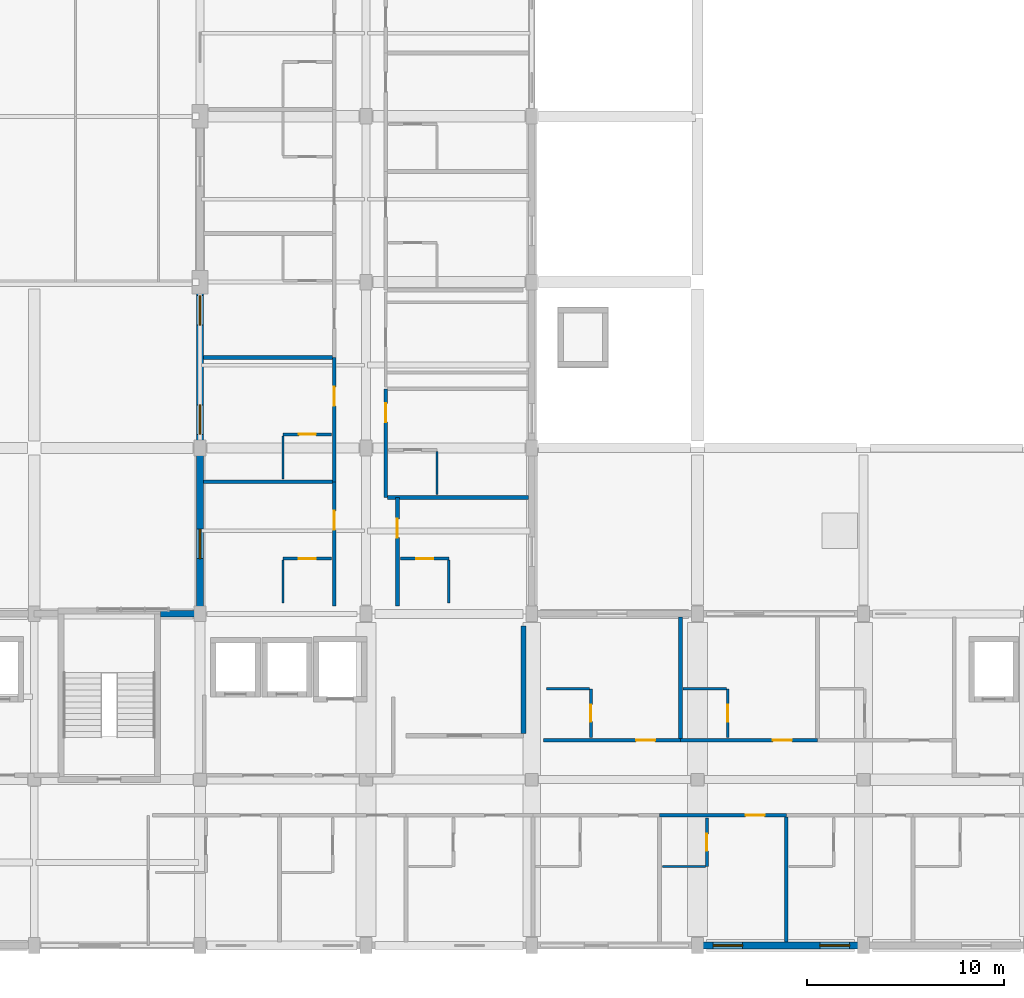
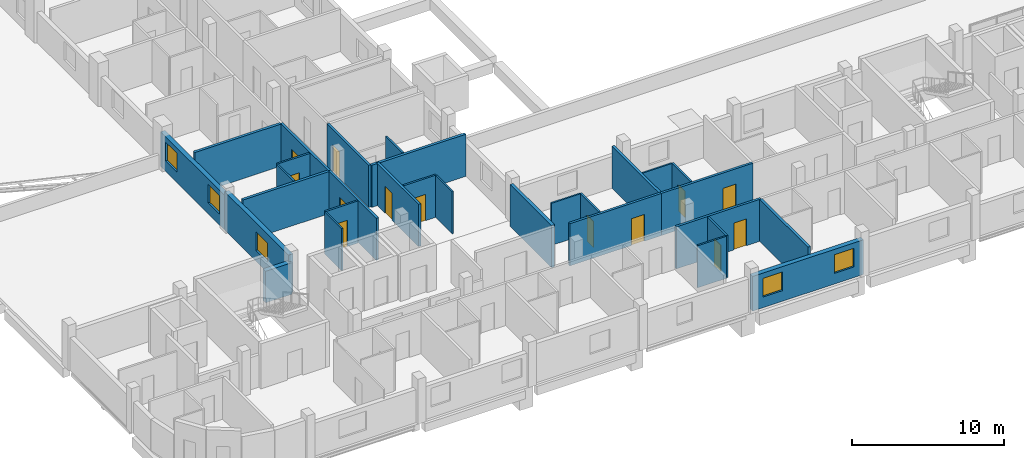
# One storey, part 29 of 42: 30 walls, 13 doors, 5 windows, 18 openings.
"""IFC4 building model written with IfcOpenShell, lengths in metres."""

from ifc_helpers import new_model, si_unit, derived_unit, direction, frame, frame_2d, origin, place, context, subcontext, project, spatial, rectangle, extrude, material, layer, layer_set, type_object, element, fill, save


model = new_model("IFC4")

# Units and contexts
model_context = context("Model", 3, precision=1e-05, world=origin(), true_north=direction((0.0, 1.0)))
body_context = subcontext(model_context, "Body", "Model", "MODEL_VIEW")
ifc_project = project(units=[si_unit("LENGTHUNIT", "METRE"), si_unit("AREAUNIT", "SQUARE_METRE"), si_unit("VOLUMEUNIT", "CUBIC_METRE"), si_unit("PLANEANGLEUNIT", "RADIAN"), si_unit("MASSUNIT", "GRAM", prefix="KILO"), derived_unit("THERMALTRANSMITTANCEUNIT", [(si_unit("POWERUNIT", "WATT"), 1), (si_unit("LENGTHUNIT", "METRE"), -2), (si_unit("THERMODYNAMICTEMPERATUREUNIT", "KELVIN"), -1)])], contexts=[model_context])

# Site, building, storey
site_placement = place(None, origin())
site = spatial("IfcSite", under=ifc_project, at=site_placement, CompositionType="ELEMENT")
building_placement = place(site_placement, origin())
building = spatial("IfcBuilding", under=site, at=building_placement, Name="Barrovel Congress Hotel", CompositionType="ELEMENT")
storey_placement = place(building_placement, frame((0.0, 0.0, 18.300048828125)))
storey = spatial("IfcBuildingStorey", under=building, at=storey_placement, Name="L04", CompositionType="ELEMENT", Elevation=18.300048828125)

# Wall
ifc_material_1 = material(Name="Fired Clay Brick Masonry", Category="masonry")
ifc_layer_1 = layer(ifc_material_1, 0.340087890625)
ifc_layer_set_1 = layer_set([ifc_layer_1], Name="Fired Clay Brick Masonry")
wall_type_1 = type_object("IfcWallType", Name="EW-BRK340", PredefinedType="STANDARD", material=ifc_layer_set_1)
wall_1_placement = place(storey_placement, frame((33.60009765625, 21.0, 0.0), z_axis=(0.0, 0.0, 1.0), x_axis=(-1.0, 0.0, 0.0)))
element("IfcWall", 1, at=wall_1_placement, inside=storey, type_object=wall_type_1, Name="EW:L04:HS-NW-1", PredefinedType="STANDARD", context=body_context, shape_type="SweptSolid", body=[
    extrude(rectangle(XDim=2.0, YDim=0.340087890625, at=frame_2d((1.0, 0.0))), origin(), (0.0, 0.0, 1.0), 2.530029296875),
])

# Wall, openings, windows
wall_2_placement = place(storey_placement, frame((58.800048828125, 4.199951171875, 0.0), z_axis=(0.0, 0.0, 1.0), x_axis=(1.0, 0.0, 0.0)))
wall_2 = element("IfcWall", 2, at=wall_2_placement, inside=storey, type_object=wall_type_1, Name="EW:L04:HS-S:P05", PredefinedType="STANDARD", context=body_context, shape_type="SweptSolid", body=[
    extrude(rectangle(XDim=8.39990234375, YDim=0.340087890625, at=frame_2d((4.199951171875, 0.0))), origin(), (0.0, 0.0, 1.0), 2.780029296875),
])
opening_1_placement = place(wall_2_placement, frame((0.78173828125, 0.0, 0.85009765625)))
opening_1 = element("IfcOpeningElement", 3, at=opening_1_placement, cuts=wall_2, Name="Opening WN-07", PredefinedType="OPENING", context=body_context, shape_type="SweptSolid", body=[
    extrude(rectangle(XDim=1.5, YDim=1.5, at=frame_2d((0.75, 0.75))), frame((0.0, 0.18017578125, 0.0), z_axis=(0.0, -1.0, 0.0), x_axis=(1.0, 0.0, 0.0)), (0.0, 0.0, 1.0), 0.360107421875),
])
opening_2_placement = place(wall_2_placement, frame((6.199951171875, 0.0, 0.85009765625)))
opening_2 = element("IfcOpeningElement", 4, at=opening_2_placement, cuts=wall_2, Name="Opening WN-07", PredefinedType="OPENING", context=body_context, shape_type="SweptSolid", body=[
    extrude(rectangle(XDim=1.5, YDim=1.5, at=frame_2d((0.75, 0.75))), frame((0.0, 0.18017578125, 0.0), z_axis=(0.0, -1.0, 0.0), x_axis=(1.0, 0.0, 0.0)), (0.0, 0.0, 1.0), 0.360107421875),
])
ifc_material_2 = material(Name="Double Low-E Insulated Glazing", Category="glass")
window_type = type_object("IfcWindowType", Name="WIN-WN-07", PartitioningType="SINGLE_PANEL", PredefinedType="WINDOW", material=ifc_material_2)
window_1_placement = place(opening_1_placement, origin())
window_1 = element("IfcWindow", 5, at=window_1_placement, inside=storey, type_object=window_type, Name="WIN:L04:U06", OverallHeight=1.5, OverallWidth=1.5, PartitioningType="SINGLE_PANEL", PredefinedType="WINDOW", context=body_context, shape_type="SweptSolid", body=[
    extrude(rectangle(XDim=1.5, YDim=1.5, at=frame_2d((0.75, 0.75))), frame((0.0, 0.030029296875, 0.0), z_axis=(0.0, -1.0, 0.0), x_axis=(1.0, 0.0, 0.0)), (0.0, 0.0, 1.0), 0.06005859375),
])
fill(opening_1, window_1)
window_2_placement = place(opening_2_placement, origin())
window_2 = element("IfcWindow", 6, at=window_2_placement, inside=storey, type_object=window_type, Name="WIN:L04:U07", OverallHeight=1.5, OverallWidth=1.5, PartitioningType="SINGLE_PANEL", PredefinedType="WINDOW", context=body_context, shape_type="SweptSolid", body=[
    extrude(rectangle(XDim=1.5, YDim=1.5, at=frame_2d((0.75, 0.75))), frame((0.0, 0.030029296875, 0.0), z_axis=(0.0, -1.0, 0.0), x_axis=(1.0, 0.0, 0.0)), (0.0, 0.0, 1.0), 0.06005859375),
])
fill(opening_2, window_2)

wall_3_placement = place(storey_placement, frame((33.60009765625, 37.800048828125, 0.0), z_axis=(0.0, 0.0, 1.0), x_axis=(0.0, -1.0, 0.0)))
wall_3 = element("IfcWall", 7, at=wall_3_placement, inside=storey, type_object=wall_type_1, Name="EW:L04:HW-W:P05", PredefinedType="STANDARD", context=body_context, shape_type="SweptSolid", body=[
    extrude(rectangle(XDim=8.400146484375, YDim=0.340087890625, at=frame_2d((4.2001953125, 0.0))), origin(), (0.0, 0.0, 1.0), 2.780029296875),
])
opening_3_placement = place(wall_3_placement, frame((6.216552734375, 0.0, 0.85009765625)))
opening_3 = element("IfcOpeningElement", 8, at=opening_3_placement, cuts=wall_3, Name="Opening WN-07", PredefinedType="OPENING", context=body_context, shape_type="SweptSolid", body=[
    extrude(rectangle(XDim=1.5, YDim=1.5, at=frame_2d((0.75, 0.75))), frame((0.0, 0.18017578125, 0.0), z_axis=(0.0, -1.0, 0.0), x_axis=(1.0, 0.0, 0.0)), (0.0, 0.0, 1.0), 0.360107421875),
])
opening_4_placement = place(wall_3_placement, frame((0.677734375, 0.0, 0.85009765625)))
opening_4 = element("IfcOpeningElement", 9, at=opening_4_placement, cuts=wall_3, Name="Opening WN-07", PredefinedType="OPENING", context=body_context, shape_type="SweptSolid", body=[
    extrude(rectangle(XDim=1.5, YDim=1.5, at=frame_2d((0.75, 0.75))), frame((0.0, 0.18017578125, 0.0), z_axis=(0.0, -1.0, 0.0), x_axis=(1.0, 0.0, 0.0)), (0.0, 0.0, 1.0), 0.360107421875),
])
window_3_placement = place(opening_3_placement, origin())
window_3 = element("IfcWindow", 10, at=window_3_placement, inside=storey, type_object=window_type, Name="WIN:L04:U34", OverallHeight=1.5, OverallWidth=1.5, PartitioningType="SINGLE_PANEL", PredefinedType="WINDOW", context=body_context, shape_type="SweptSolid", body=[
    extrude(rectangle(XDim=1.5, YDim=1.5, at=frame_2d((0.75, 0.75))), frame((0.0, 0.030029296875, 0.0), z_axis=(0.0, -1.0, 0.0), x_axis=(1.0, 0.0, 0.0)), (0.0, 0.0, 1.0), 0.06005859375),
])
fill(opening_3, window_3)
window_4_placement = place(opening_4_placement, origin())
window_4 = element("IfcWindow", 11, at=window_4_placement, inside=storey, type_object=window_type, Name="WIN:L04:U35", OverallHeight=1.5, OverallWidth=1.5, PartitioningType="SINGLE_PANEL", PredefinedType="WINDOW", context=body_context, shape_type="SweptSolid", body=[
    extrude(rectangle(XDim=1.5, YDim=1.5, at=frame_2d((0.75, 0.75))), frame((0.0, 0.030029296875, 0.0), z_axis=(0.0, -1.0, 0.0), x_axis=(1.0, 0.0, 0.0)), (0.0, 0.0, 1.0), 0.06005859375),
])
fill(opening_4, window_4)

# Wall, opening, window
wall_4_placement = place(storey_placement, frame((33.60009765625, 29.39990234375, 0.0), z_axis=(0.0, 0.0, 1.0), x_axis=(0.0, -1.0, 0.0)))
wall_4 = element("IfcWall", 12, at=wall_4_placement, inside=storey, type_object=wall_type_1, Name="EW:L04:HW-W:P06", PredefinedType="STANDARD", context=body_context, shape_type="SweptSolid", body=[
    extrude(rectangle(XDim=8.39990234375, YDim=0.340087890625, at=frame_2d((4.199951171875, 0.0))), origin(), (0.0, 0.0, 1.0), 3.0751953125),
])
opening_5_placement = place(wall_4_placement, frame((4.105712890625, 0.0, 0.85009765625)))
opening_5 = element("IfcOpeningElement", 13, at=opening_5_placement, cuts=wall_4, Name="Opening WN-07", PredefinedType="OPENING", context=body_context, shape_type="SweptSolid", body=[
    extrude(rectangle(XDim=1.5, YDim=1.5, at=frame_2d((0.75, 0.75))), frame((0.0, 0.18017578125, 0.0), z_axis=(0.0, -1.0, 0.0), x_axis=(1.0, 0.0, 0.0)), (0.0, 0.0, 1.0), 0.360107421875),
])
window_5_placement = place(opening_5_placement, origin())
window_5 = element("IfcWindow", 14, at=window_5_placement, inside=storey, type_object=window_type, Name="WIN:L04:U33", OverallHeight=1.5, OverallWidth=1.5, PartitioningType="SINGLE_PANEL", PredefinedType="WINDOW", context=body_context, shape_type="SweptSolid", body=[
    extrude(rectangle(XDim=1.5, YDim=1.5, at=frame_2d((0.75, 0.75))), frame((0.0, 0.030029296875, 0.0), z_axis=(0.0, -1.0, 0.0), x_axis=(1.0, 0.0, 0.0)), (0.0, 0.0, 1.0), 0.06005859375),
])
fill(opening_5, window_5)

# Wall, opening, door
ifc_material_3 = material(Name="Gypsum Acoustic Stud", Category="gypsum")
ifc_layer_2 = layer(ifc_material_3, 0.179931640625)
ifc_layer_set_2 = layer_set([ifc_layer_2], Name="Gypsum Acoustic Stud")
wall_type_2 = type_object("IfcWallType", Name="PW-ACU-180", PredefinedType="PARTITIONING", material=ifc_layer_set_2)
wall_5_placement = place(storey_placement, frame((56.872802734375, 10.800048828125, 0.0), z_axis=(0.0, 0.0, 1.0), x_axis=(1.0, 0.0, 0.0)))
wall_5 = element("IfcWall", 15, at=wall_5_placement, inside=storey, type_object=wall_type_2, Name="PW:L04:U06:COR", PredefinedType="PARTITIONING", context=body_context, shape_type="SweptSolid", body=[
    extrude(rectangle(XDim=6.418212890625, YDim=0.179931640625, at=frame_2d((3.208984375, 0.0))), origin(), (0.0, 0.0, 1.0), 3.375),
])
opening_6_placement = place(wall_5_placement, frame((4.3662109375, 0.0, 0.0)))
opening_6 = element("IfcOpeningElement", 16, at=opening_6_placement, cuts=wall_5, Name="Opening ID-HTL", PredefinedType="OPENING", context=body_context, shape_type="SweptSolid", body=[
    extrude(rectangle(XDim=0.9599609375, YDim=2.14990234375, at=frame_2d((0.47998046875, 1.074951171875))), frame((0.0, 0.10009765625, 0.0), z_axis=(0.0, -1.0, 0.0), x_axis=(1.0, 0.0, 0.0)), (0.0, 0.0, 1.0), 0.199951171875),
])
ifc_material_4 = material(Name="Solid Oak Acoustic Timber Door", Category="wood")
door_type_1 = type_object("IfcDoorType", Name="IDR-ID-HTL", OperationType="NOTDEFINED", PredefinedType="DOOR", material=ifc_material_4)
door_1_placement = place(opening_6_placement, origin())
door_1 = element("IfcDoor", 17, at=door_1_placement, inside=storey, type_object=door_type_1, Name="DR:L04:U06:ENT", OperationType="SINGLE_SWING_RIGHT", OverallHeight=2.14990234375, OverallWidth=0.9599609375, PredefinedType="DOOR", context=body_context, shape_type="SweptSolid", body=[
    extrude(rectangle(XDim=0.9599609375, YDim=2.14990234375, at=frame_2d((0.47998046875, 1.074951171875))), frame((0.0, 0.02490234375, 0.0), z_axis=(0.0, -1.0, 0.0), x_axis=(1.0, 0.0, 0.0)), (0.0, 0.0, 1.0), 0.050048828125),
])
fill(opening_6, door_1)

wall_6_placement = place(storey_placement, frame((51.0, 14.60009765625, 0.0), z_axis=(0.0, 0.0, 1.0), x_axis=(1.0, 0.0, 0.0)))
wall_6 = element("IfcWall", 18, at=wall_6_placement, inside=storey, type_object=wall_type_2, Name="PW:L04:U21:COR", PredefinedType="PARTITIONING", context=body_context, shape_type="SweptSolid", body=[
    extrude(rectangle(XDim=6.933349609375, YDim=0.179931640625, at=frame_2d((3.466796875, 0.0))), origin(), (0.0, 0.0, 1.0), 3.375),
])
opening_7_placement = place(wall_6_placement, frame((4.685546875, 0.0, 0.0)))
opening_7 = element("IfcOpeningElement", 19, at=opening_7_placement, cuts=wall_6, Name="Opening ID-HTL", PredefinedType="OPENING", context=body_context, shape_type="SweptSolid", body=[
    extrude(rectangle(XDim=0.9599609375, YDim=2.14990234375, at=frame_2d((0.47998046875, 1.074951171875))), frame((0.0, 0.10009765625, 0.0), z_axis=(0.0, -1.0, 0.0), x_axis=(1.0, 0.0, 0.0)), (0.0, 0.0, 1.0), 0.199951171875),
])
door_2_placement = place(opening_7_placement, origin())
door_2 = element("IfcDoor", 20, at=door_2_placement, inside=storey, type_object=door_type_1, Name="DR:L04:U21:ENT", OperationType="SINGLE_SWING_RIGHT", OverallHeight=2.14990234375, OverallWidth=0.9599609375, PredefinedType="DOOR", context=body_context, shape_type="SweptSolid", body=[
    extrude(rectangle(XDim=0.9599609375, YDim=2.14990234375, at=frame_2d((0.47998046875, 1.074951171875))), frame((0.0, 0.02490234375, 0.0), z_axis=(0.0, -1.0, 0.0), x_axis=(1.0, 0.0, 0.0)), (0.0, 0.0, 1.0), 0.050048828125),
])
fill(opening_7, door_2)

wall_7_placement = place(storey_placement, frame((57.933349609375, 14.60009765625, 0.0), z_axis=(0.0, 0.0, 1.0), x_axis=(1.0, 0.0, 0.0)))
wall_7 = element("IfcWall", 21, at=wall_7_placement, inside=storey, type_object=wall_type_2, Name="PW:L04:U22:COR", PredefinedType="PARTITIONING", context=body_context, shape_type="SweptSolid", body=[
    extrude(rectangle(XDim=6.933349609375, YDim=0.179931640625, at=frame_2d((3.466796875, 0.0))), origin(), (0.0, 0.0, 1.0), 3.375),
])
opening_8_placement = place(wall_7_placement, frame((4.685791015625, 0.0, 0.0)))
opening_8 = element("IfcOpeningElement", 22, at=opening_8_placement, cuts=wall_7, Name="Opening ID-HTL", PredefinedType="OPENING", context=body_context, shape_type="SweptSolid", body=[
    extrude(rectangle(XDim=0.9599609375, YDim=2.14990234375, at=frame_2d((0.47998046875, 1.074951171875))), frame((0.0, 0.10009765625, 0.0), z_axis=(0.0, -1.0, 0.0), x_axis=(1.0, 0.0, 0.0)), (0.0, 0.0, 1.0), 0.199951171875),
])
door_3_placement = place(opening_8_placement, origin())
door_3 = element("IfcDoor", 23, at=door_3_placement, inside=storey, type_object=door_type_1, Name="DR:L04:U22:ENT", OperationType="SINGLE_SWING_RIGHT", OverallHeight=2.14990234375, OverallWidth=0.9599609375, PredefinedType="DOOR", context=body_context, shape_type="SweptSolid", body=[
    extrude(rectangle(XDim=0.9599609375, YDim=2.14990234375, at=frame_2d((0.47998046875, 1.074951171875))), frame((0.0, 0.02490234375, 0.0), z_axis=(0.0, -1.0, 0.0), x_axis=(1.0, 0.0, 0.0)), (0.0, 0.0, 1.0), 0.050048828125),
])
fill(opening_8, door_3)

wall_8_placement = place(storey_placement, frame((40.39990234375, 21.39990234375, 0.0), z_axis=(0.0, 0.0, 1.0), x_axis=(0.0, 1.0, 0.0)))
wall_8 = element("IfcWall", 24, at=wall_8_placement, inside=storey, type_object=wall_type_2, Name="PW:L04:U33:COR", PredefinedType="PARTITIONING", context=body_context, shape_type="SweptSolid", body=[
    extrude(rectangle(XDim=6.2890625, YDim=0.179931640625, at=frame_2d((3.14453125, 0.0))), origin(), (0.0, 0.0, 1.0), 3.375),
])
opening_9_placement = place(wall_8_placement, frame((3.849365234375, 0.0, 0.0)))
opening_9 = element("IfcOpeningElement", 25, at=opening_9_placement, cuts=wall_8, Name="Opening ID-HTL", PredefinedType="OPENING", context=body_context, shape_type="SweptSolid", body=[
    extrude(rectangle(XDim=0.9599609375, YDim=2.14990234375, at=frame_2d((0.47998046875, 1.074951171875))), frame((0.0, 0.10009765625, 0.0), z_axis=(0.0, -1.0, 0.0), x_axis=(1.0, 0.0, 0.0)), (0.0, 0.0, 1.0), 0.199951171875),
])
door_4_placement = place(opening_9_placement, origin())
door_4 = element("IfcDoor", 26, at=door_4_placement, inside=storey, type_object=door_type_1, Name="DR:L04:U33:ENT", OperationType="SINGLE_SWING_RIGHT", OverallHeight=2.14990234375, OverallWidth=0.9599609375, PredefinedType="DOOR", context=body_context, shape_type="SweptSolid", body=[
    extrude(rectangle(XDim=0.9599609375, YDim=2.14990234375, at=frame_2d((0.47998046875, 1.074951171875))), frame((0.0, 0.02490234375, 0.0), z_axis=(0.0, -1.0, 0.0), x_axis=(1.0, 0.0, 0.0)), (0.0, 0.0, 1.0), 0.050048828125),
])
fill(opening_9, door_4)

wall_9_placement = place(storey_placement, frame((40.39990234375, 27.68896484375, 0.0), z_axis=(0.0, 0.0, 1.0), x_axis=(0.0, 1.0, 0.0)))
wall_9 = element("IfcWall", 27, at=wall_9_placement, inside=storey, type_object=wall_type_2, Name="PW:L04:U34:COR", PredefinedType="PARTITIONING", context=body_context, shape_type="SweptSolid", body=[
    extrude(rectangle(XDim=6.288818359375, YDim=0.179931640625, at=frame_2d((3.14453125, 0.0))), origin(), (0.0, 0.0, 1.0), 3.375),
])
opening_10_placement = place(wall_9_placement, frame((3.849365234375, 0.0, 0.0)))
opening_10 = element("IfcOpeningElement", 28, at=opening_10_placement, cuts=wall_9, Name="Opening ID-HTL", PredefinedType="OPENING", context=body_context, shape_type="SweptSolid", body=[
    extrude(rectangle(XDim=0.9599609375, YDim=2.14990234375, at=frame_2d((0.47998046875, 1.074951171875))), frame((0.0, 0.10009765625, 0.0), z_axis=(0.0, -1.0, 0.0), x_axis=(1.0, 0.0, 0.0)), (0.0, 0.0, 1.0), 0.199951171875),
])
door_5_placement = place(opening_10_placement, origin())
door_5 = element("IfcDoor", 29, at=door_5_placement, inside=storey, type_object=door_type_1, Name="DR:L04:U34:ENT", OperationType="SINGLE_SWING_RIGHT", OverallHeight=2.14990234375, OverallWidth=0.9599609375, PredefinedType="DOOR", context=body_context, shape_type="SweptSolid", body=[
    extrude(rectangle(XDim=0.9599609375, YDim=2.14990234375, at=frame_2d((0.47998046875, 1.074951171875))), frame((0.0, 0.02490234375, 0.0), z_axis=(0.0, -1.0, 0.0), x_axis=(1.0, 0.0, 0.0)), (0.0, 0.0, 1.0), 0.050048828125),
])
fill(opening_10, door_5)

wall_10_placement = place(storey_placement, frame((43.60009765625, 21.39990234375, 0.0), z_axis=(0.0, 0.0, 1.0), x_axis=(0.0, 1.0, 0.0)))
wall_10 = element("IfcWall", 30, at=wall_10_placement, inside=storey, type_object=wall_type_2, Name="PW:L04:U42:COR", PredefinedType="PARTITIONING", context=body_context, shape_type="SweptSolid", body=[
    extrude(rectangle(XDim=5.5, YDim=0.179931640625, at=frame_2d((2.75, 0.0))), origin(), (0.0, 0.0, 1.0), 3.375),
])
opening_11_placement = place(wall_10_placement, frame((3.455078125, 0.0, 0.0)))
opening_11 = element("IfcOpeningElement", 31, at=opening_11_placement, cuts=wall_10, Name="Opening ID-HTL", PredefinedType="OPENING", context=body_context, shape_type="SweptSolid", body=[
    extrude(rectangle(XDim=0.9599609375, YDim=2.14990234375, at=frame_2d((0.47998046875, 1.074951171875))), frame((0.0, 0.10009765625, 0.0), z_axis=(0.0, -1.0, 0.0), x_axis=(1.0, 0.0, 0.0)), (0.0, 0.0, 1.0), 0.199951171875),
])
door_6_placement = place(opening_11_placement, origin())
door_6 = element("IfcDoor", 32, at=door_6_placement, inside=storey, type_object=door_type_1, Name="DR:L04:U42:ENT", OperationType="SINGLE_SWING_RIGHT", OverallHeight=2.14990234375, OverallWidth=0.9599609375, PredefinedType="DOOR", context=body_context, shape_type="SweptSolid", body=[
    extrude(rectangle(XDim=0.9599609375, YDim=2.14990234375, at=frame_2d((0.47998046875, 1.074951171875))), frame((0.0, 0.02490234375, 0.0), z_axis=(0.0, -1.0, 0.0), x_axis=(1.0, 0.0, 0.0)), (0.0, 0.0, 1.0), 0.050048828125),
])
fill(opening_11, door_6)

wall_11_placement = place(storey_placement, frame((43.0, 26.89990234375, 0.0), z_axis=(0.0, 0.0, 1.0), x_axis=(0.0, 1.0, 0.0)))
wall_11 = element("IfcWall", 33, at=wall_11_placement, inside=storey, type_object=wall_type_2, Name="PW:L04:U43:COR", PredefinedType="PARTITIONING", context=body_context, shape_type="SweptSolid", body=[
    extrude(rectangle(XDim=5.5, YDim=0.179931640625, at=frame_2d((2.75, 0.0))), origin(), (0.0, 0.0, 1.0), 3.375),
])
opening_12_placement = place(wall_11_placement, frame((3.804931640625, 0.0, 0.0)))
opening_12 = element("IfcOpeningElement", 34, at=opening_12_placement, cuts=wall_11, Name="Opening ID-HTL", PredefinedType="OPENING", context=body_context, shape_type="SweptSolid", body=[
    extrude(rectangle(XDim=0.9599609375, YDim=2.14990234375, at=frame_2d((0.47998046875, 1.074951171875))), frame((0.0, 0.10009765625, 0.0), z_axis=(0.0, -1.0, 0.0), x_axis=(1.0, 0.0, 0.0)), (0.0, 0.0, 1.0), 0.199951171875),
])
door_7_placement = place(opening_12_placement, origin())
door_7 = element("IfcDoor", 35, at=door_7_placement, inside=storey, type_object=door_type_1, Name="DR:L04:U43:ENT", OperationType="SINGLE_SWING_RIGHT", OverallHeight=2.14990234375, OverallWidth=0.9599609375, PredefinedType="DOOR", context=body_context, shape_type="SweptSolid", body=[
    extrude(rectangle(XDim=0.9599609375, YDim=2.14990234375, at=frame_2d((0.47998046875, 1.074951171875))), frame((0.0, 0.02490234375, 0.0), z_axis=(0.0, -1.0, 0.0), x_axis=(1.0, 0.0, 0.0)), (0.0, 0.0, 1.0), 0.050048828125),
])
fill(opening_12, door_7)

# Walls
ifc_layer_3 = layer(ifc_material_3, 0.1201171875)
ifc_layer_set_3 = layer_set([ifc_layer_3], Name="Gypsum Acoustic Stud")
wall_type_3 = type_object("IfcWallType", Name="PW-INT-120", PredefinedType="PARTITIONING", material=ifc_layer_set_3)
wall_12_placement = place(storey_placement, frame((57.0126953125, 8.199951171875, 0.0), z_axis=(0.0, 0.0, 1.0), x_axis=(1.0, 0.0, 0.0)))
element("IfcWall", 36, at=wall_12_placement, inside=storey, type_object=wall_type_3, Name="PW:L04:U06:B2", PredefinedType="PARTITIONING", context=body_context, shape_type="SweptSolid", body=[
    extrude(rectangle(XDim=2.18994140625, YDim=0.1201171875, at=frame_2d((1.094970703125, 0.0))), origin(), (0.0, 0.0, 1.0), 3.375),
])
wall_13_placement = place(storey_placement, frame((51.139892578125, 17.199951171875, 0.0), z_axis=(0.0, 0.0, 1.0), x_axis=(1.0, 0.0, 0.0)))
element("IfcWall", 37, at=wall_13_placement, inside=storey, type_object=wall_type_3, Name="PW:L04:U21:B2", PredefinedType="PARTITIONING", context=body_context, shape_type="SweptSolid", body=[
    extrude(rectangle(XDim=2.190185546875, YDim=0.1201171875, at=frame_2d((1.09521484375, 0.0))), origin(), (0.0, 0.0, 1.0), 3.375),
])
for number, where, z_axis, x_axis, name in (
    (38, (58.0732421875, 17.199951171875, 0.0), (0.0, 0.0, 1.0), (1.0, 0.0, 0.0), "PW:L04:U22:B2"),
    (39, (37.800048828125, 21.5400390625, 0.0), (0.0, 0.0, 1.0), (0.0, 1.0, 0.0), "PW:L04:U33:B2"),
    (40, (37.800048828125, 27.828857421875, 0.0), (0.0, 0.0, 1.0), (0.0, 1.0, 0.0), "PW:L04:U34:B2"),
    (41, (46.199951171875, 21.5400390625, 0.0), (0.0, 0.0, 1.0), (0.0, 1.0, 0.0), "PW:L04:U42:B2"),
    (42, (45.60009765625, 27.0400390625, 0.0), (0.0, 0.0, 1.0), (0.0, 1.0, 0.0), "PW:L04:U43:B2"),
):
    element("IfcWall", number, at=place(storey_placement, frame(where, z_axis=z_axis, x_axis=x_axis)), inside=storey, type_object=wall_type_3, Name=name, PredefinedType="PARTITIONING", context=body_context, shape_type="SweptSolid", body=[
        extrude(rectangle(XDim=2.18994140625, YDim=0.1201171875, at=frame_2d((1.094970703125, 0.0))), origin(), (0.0, 0.0, 1.0), 3.375),
    ])
ifc_layer_4 = layer(ifc_material_1, 0.199951171875)
ifc_layer_set_4 = layer_set([ifc_layer_4], Name="Fired Clay Brick Masonry")
wall_type_4 = type_object("IfcWallType", Name="PW-MAS-200", PredefinedType="PARTITIONING", material=ifc_layer_set_4)
wall_14_placement = place(storey_placement, frame((63.291015625, 4.3701171875, 0.0), z_axis=(0.0, 0.0, 1.0), x_axis=(0.0, 1.0, 0.0)))
element("IfcWall", 43, at=wall_14_placement, inside=storey, type_object=wall_type_4, Name="PW:L04:U06:DEM", PredefinedType="PARTITIONING", context=body_context, shape_type="SweptSolid", body=[
    extrude(rectangle(XDim=6.33984375, YDim=0.199951171875, at=frame_2d((3.169921875, 0.0))), origin(), (0.0, 0.0, 1.0), 3.375),
])
wall_15_placement = place(storey_placement, frame((57.933349609375, 14.68994140625, 0.0), z_axis=(0.0, 0.0, 1.0), x_axis=(0.0, 1.0, 0.0)))
element("IfcWall", 44, at=wall_15_placement, inside=storey, type_object=wall_type_4, Name="PW:L04:U21:DEM", PredefinedType="PARTITIONING", context=body_context, shape_type="SweptSolid", body=[
    extrude(rectangle(XDim=6.14013671875, YDim=0.199951171875, at=frame_2d((3.070068359375, 0.0))), origin(), (0.0, 0.0, 1.0), 3.375),
])
for number, where, z_axis, x_axis, name in (
    (45, (33.77001953125, 27.68896484375, 0.0), (0.0, 0.0, 1.0), (1.0, 0.0, 0.0), "PW:L04:U33:DEM"),
    (46, (33.77001953125, 33.977783203125, 0.0), (0.0, 0.0, 1.0), (1.0, 0.0, 0.0), "PW:L04:U34:DEM"),
):
    element("IfcWall", number, at=place(storey_placement, frame(where, z_axis=z_axis, x_axis=x_axis)), inside=storey, type_object=wall_type_4, Name=name, PredefinedType="PARTITIONING", context=body_context, shape_type="SweptSolid", body=[
        extrude(rectangle(XDim=6.5400390625, YDim=0.199951171875, at=frame_2d((3.27001953125, 0.0))), origin(), (0.0, 0.0, 1.0), 3.375),
    ])
wall_16_placement = place(storey_placement, frame((43.090087890625, 26.89990234375, 0.0), z_axis=(0.0, 0.0, 1.0), x_axis=(1.0, 0.0, 0.0)))
element("IfcWall", 47, at=wall_16_placement, inside=storey, type_object=wall_type_4, Name="PW:L04:U42:DEM", PredefinedType="PARTITIONING", context=body_context, shape_type="SweptSolid", body=[
    extrude(rectangle(XDim=7.139892578125, YDim=0.199951171875, at=frame_2d((3.56982421875, 0.0))), origin(), (0.0, 0.0, 1.0), 3.375),
])
ifc_layer_5 = layer(ifc_material_1, 0.239990234375)
ifc_layer_set_5 = layer_set([ifc_layer_5], Name="Fired Clay Brick Masonry")
wall_type_5 = type_object("IfcWallType", Name="PW-MAS-240", PredefinedType="PARTITIONING", material=ifc_layer_set_5)
wall_17_placement = place(storey_placement, frame((49.97998046875, 14.93994140625, 0.0), z_axis=(0.0, 0.0, 1.0), x_axis=(0.0, 1.0, 0.0)))
element("IfcWall", 48, at=wall_17_placement, inside=storey, type_object=wall_type_5, Name="RW:SP:L04:LINEN:E", PredefinedType="PARTITIONING", context=body_context, shape_type="SweptSolid", body=[
    extrude(rectangle(XDim=5.43994140625, YDim=0.239990234375, at=frame_2d((2.719970703125, 0.0))), origin(), (0.0, 0.0, 1.0), 3.375),
])

# Wall, opening, door
ifc_material_5 = material(Name="Gypsum Moisture Board", Category="gypsum")
ifc_layer_6 = layer(ifc_material_5, 0.139892578125)
ifc_layer_set_6 = layer_set([ifc_layer_6], Name="Gypsum Moisture Board")
wall_type_6 = type_object("IfcWallType", Name="PW-WET-140", PredefinedType="PARTITIONING", material=ifc_layer_set_6)
wall_18_placement = place(storey_placement, frame((59.272705078125, 8.199951171875, 0.0), z_axis=(0.0, 0.0, 1.0), x_axis=(0.0, 1.0, 0.0)))
wall_18 = element("IfcWall", 49, at=wall_18_placement, inside=storey, type_object=wall_type_6, Name="PW:L04:U06:B1", PredefinedType="PARTITIONING", context=body_context, shape_type="SweptSolid", body=[
    extrude(rectangle(XDim=2.4599609375, YDim=0.139892578125, at=frame_2d((1.22998046875, 0.0))), origin(), (0.0, 0.0, 1.0), 3.375),
])
opening_13_placement = place(wall_18_placement, frame((0.800048828125, 0.0, 0.0)))
opening_13 = element("IfcOpeningElement", 50, at=opening_13_placement, cuts=wall_18, Name="Opening ID-ENS", PredefinedType="OPENING", context=body_context, shape_type="SweptSolid", body=[
    extrude(rectangle(XDim=0.860107421875, YDim=2.10009765625, at=frame_2d((0.43017578125, 1.050048828125))), frame((0.0, 0.080078125, 0.0), z_axis=(0.0, -1.0, 0.0), x_axis=(1.0, 0.0, 0.0)), (0.0, 0.0, 1.0), 0.159912109375),
])
ifc_material_6 = material(Name="Lacquered Timber Moisture Door", Category="wood")
door_type_2 = type_object("IfcDoorType", Name="IDR-ID-ENS", OperationType="NOTDEFINED", PredefinedType="DOOR", material=ifc_material_6)
door_8_placement = place(opening_13_placement, origin())
door_8 = element("IfcDoor", 51, at=door_8_placement, inside=storey, type_object=door_type_2, Name="DR:L04:U06:ENS", OperationType="SINGLE_SWING_LEFT", OverallHeight=2.10009765625, OverallWidth=0.860107421875, PredefinedType="DOOR", context=body_context, shape_type="SweptSolid", body=[
    extrude(rectangle(XDim=0.860107421875, YDim=2.10009765625, at=frame_2d((0.43017578125, 1.050048828125))), frame((0.0, 0.02490234375, 0.0), z_axis=(0.0, -1.0, 0.0), x_axis=(1.0, 0.0, 0.0)), (0.0, 0.0, 1.0), 0.050048828125),
])
fill(opening_13, door_8)

wall_19_placement = place(storey_placement, frame((53.39990234375, 14.739990234375, 0.0), z_axis=(0.0, 0.0, 1.0), x_axis=(0.0, 1.0, 0.0)))
wall_19 = element("IfcWall", 52, at=wall_19_placement, inside=storey, type_object=wall_type_6, Name="PW:L04:U21:B1", PredefinedType="PARTITIONING", context=body_context, shape_type="SweptSolid", body=[
    extrude(rectangle(XDim=2.4599609375, YDim=0.139892578125, at=frame_2d((1.22998046875, 0.0))), origin(), (0.0, 0.0, 1.0), 3.375),
])
opening_14_placement = place(wall_19_placement, frame((0.800048828125, 0.0, 0.0)))
opening_14 = element("IfcOpeningElement", 53, at=opening_14_placement, cuts=wall_19, Name="Opening ID-ENS", PredefinedType="OPENING", context=body_context, shape_type="SweptSolid", body=[
    extrude(rectangle(XDim=0.860107421875, YDim=2.10009765625, at=frame_2d((0.43017578125, 1.050048828125))), frame((0.0, 0.080078125, 0.0), z_axis=(0.0, -1.0, 0.0), x_axis=(1.0, 0.0, 0.0)), (0.0, 0.0, 1.0), 0.159912109375),
])
door_9_placement = place(opening_14_placement, origin())
door_9 = element("IfcDoor", 54, at=door_9_placement, inside=storey, type_object=door_type_2, Name="DR:L04:U21:ENS", OperationType="SINGLE_SWING_LEFT", OverallHeight=2.10009765625, OverallWidth=0.860107421875, PredefinedType="DOOR", context=body_context, shape_type="SweptSolid", body=[
    extrude(rectangle(XDim=0.860107421875, YDim=2.10009765625, at=frame_2d((0.43017578125, 1.050048828125))), frame((0.0, 0.02490234375, 0.0), z_axis=(0.0, -1.0, 0.0), x_axis=(1.0, 0.0, 0.0)), (0.0, 0.0, 1.0), 0.050048828125),
])
fill(opening_14, door_9)

wall_20_placement = place(storey_placement, frame((60.333251953125, 14.739990234375, 0.0), z_axis=(0.0, 0.0, 1.0), x_axis=(0.0, 1.0, 0.0)))
wall_20 = element("IfcWall", 55, at=wall_20_placement, inside=storey, type_object=wall_type_6, Name="PW:L04:U22:B1", PredefinedType="PARTITIONING", context=body_context, shape_type="SweptSolid", body=[
    extrude(rectangle(XDim=2.4599609375, YDim=0.139892578125, at=frame_2d((1.22998046875, 0.0))), origin(), (0.0, 0.0, 1.0), 3.375),
])
opening_15_placement = place(wall_20_placement, frame((0.800048828125, 0.0, 0.0)))
opening_15 = element("IfcOpeningElement", 56, at=opening_15_placement, cuts=wall_20, Name="Opening ID-ENS", PredefinedType="OPENING", context=body_context, shape_type="SweptSolid", body=[
    extrude(rectangle(XDim=0.860107421875, YDim=2.10009765625, at=frame_2d((0.43017578125, 1.050048828125))), frame((0.0, 0.080078125, 0.0), z_axis=(0.0, -1.0, 0.0), x_axis=(1.0, 0.0, 0.0)), (0.0, 0.0, 1.0), 0.159912109375),
])
door_10_placement = place(opening_15_placement, origin())
door_10 = element("IfcDoor", 57, at=door_10_placement, inside=storey, type_object=door_type_2, Name="DR:L04:U22:ENS", OperationType="SINGLE_SWING_LEFT", OverallHeight=2.10009765625, OverallWidth=0.860107421875, PredefinedType="DOOR", context=body_context, shape_type="SweptSolid", body=[
    extrude(rectangle(XDim=0.860107421875, YDim=2.10009765625, at=frame_2d((0.43017578125, 1.050048828125))), frame((0.0, 0.02490234375, 0.0), z_axis=(0.0, -1.0, 0.0), x_axis=(1.0, 0.0, 0.0)), (0.0, 0.0, 1.0), 0.050048828125),
])
fill(opening_15, door_10)

wall_21_placement = place(storey_placement, frame((37.800048828125, 23.800048828125, 0.0), z_axis=(0.0, 0.0, 1.0), x_axis=(1.0, 0.0, 0.0)))
wall_21 = element("IfcWall", 58, at=wall_21_placement, inside=storey, type_object=wall_type_6, Name="PW:L04:U33:B1", PredefinedType="PARTITIONING", context=body_context, shape_type="SweptSolid", body=[
    extrude(rectangle(XDim=2.4599609375, YDim=0.139892578125, at=frame_2d((1.22998046875, 0.0))), origin(), (0.0, 0.0, 1.0), 3.375),
])
opening_16_placement = place(wall_21_placement, frame((0.800048828125, 0.0, 0.0)))
opening_16 = element("IfcOpeningElement", 59, at=opening_16_placement, cuts=wall_21, Name="Opening ID-ENS", PredefinedType="OPENING", context=body_context, shape_type="SweptSolid", body=[
    extrude(rectangle(XDim=0.860107421875, YDim=2.10009765625, at=frame_2d((0.43017578125, 1.050048828125))), frame((0.0, 0.080078125, 0.0), z_axis=(0.0, -1.0, 0.0), x_axis=(1.0, 0.0, 0.0)), (0.0, 0.0, 1.0), 0.159912109375),
])
door_11_placement = place(opening_16_placement, origin())
door_11 = element("IfcDoor", 60, at=door_11_placement, inside=storey, type_object=door_type_2, Name="DR:L04:U33:ENS", OperationType="SINGLE_SWING_LEFT", OverallHeight=2.10009765625, OverallWidth=0.860107421875, PredefinedType="DOOR", context=body_context, shape_type="SweptSolid", body=[
    extrude(rectangle(XDim=0.860107421875, YDim=2.10009765625, at=frame_2d((0.43017578125, 1.050048828125))), frame((0.0, 0.02490234375, 0.0), z_axis=(0.0, -1.0, 0.0), x_axis=(1.0, 0.0, 0.0)), (0.0, 0.0, 1.0), 0.050048828125),
])
fill(opening_16, door_11)

wall_22_placement = place(storey_placement, frame((37.800048828125, 30.0888671875, 0.0), z_axis=(0.0, 0.0, 1.0), x_axis=(1.0, 0.0, 0.0)))
wall_22 = element("IfcWall", 61, at=wall_22_placement, inside=storey, type_object=wall_type_6, Name="PW:L04:U34:B1", PredefinedType="PARTITIONING", context=body_context, shape_type="SweptSolid", body=[
    extrude(rectangle(XDim=2.4599609375, YDim=0.139892578125, at=frame_2d((1.22998046875, 0.0))), origin(), (0.0, 0.0, 1.0), 3.375),
])
opening_17_placement = place(wall_22_placement, frame((0.800048828125, 0.0, 0.0)))
opening_17 = element("IfcOpeningElement", 62, at=opening_17_placement, cuts=wall_22, Name="Opening ID-ENS", PredefinedType="OPENING", context=body_context, shape_type="SweptSolid", body=[
    extrude(rectangle(XDim=0.860107421875, YDim=2.10009765625, at=frame_2d((0.43017578125, 1.050048828125))), frame((0.0, 0.080078125, 0.0), z_axis=(0.0, -1.0, 0.0), x_axis=(1.0, 0.0, 0.0)), (0.0, 0.0, 1.0), 0.159912109375),
])
door_12_placement = place(opening_17_placement, origin())
door_12 = element("IfcDoor", 63, at=door_12_placement, inside=storey, type_object=door_type_2, Name="DR:L04:U34:ENS", OperationType="SINGLE_SWING_LEFT", OverallHeight=2.10009765625, OverallWidth=0.860107421875, PredefinedType="DOOR", context=body_context, shape_type="SweptSolid", body=[
    extrude(rectangle(XDim=0.860107421875, YDim=2.10009765625, at=frame_2d((0.43017578125, 1.050048828125))), frame((0.0, 0.02490234375, 0.0), z_axis=(0.0, -1.0, 0.0), x_axis=(1.0, 0.0, 0.0)), (0.0, 0.0, 1.0), 0.050048828125),
])
fill(opening_17, door_12)

wall_23_placement = place(storey_placement, frame((43.739990234375, 23.800048828125, 0.0), z_axis=(0.0, 0.0, 1.0), x_axis=(1.0, 0.0, 0.0)))
wall_23 = element("IfcWall", 64, at=wall_23_placement, inside=storey, type_object=wall_type_6, Name="PW:L04:U42:B1", PredefinedType="PARTITIONING", context=body_context, shape_type="SweptSolid", body=[
    extrude(rectangle(XDim=2.4599609375, YDim=0.139892578125, at=frame_2d((1.22998046875, 0.0))), origin(), (0.0, 0.0, 1.0), 3.375),
])
opening_18_placement = place(wall_23_placement, frame((0.800048828125, 0.0, 0.0)))
opening_18 = element("IfcOpeningElement", 65, at=opening_18_placement, cuts=wall_23, Name="Opening ID-ENS", PredefinedType="OPENING", context=body_context, shape_type="SweptSolid", body=[
    extrude(rectangle(XDim=0.860107421875, YDim=2.10009765625, at=frame_2d((0.43017578125, 1.050048828125))), frame((0.0, 0.080078125, 0.0), z_axis=(0.0, -1.0, 0.0), x_axis=(1.0, 0.0, 0.0)), (0.0, 0.0, 1.0), 0.159912109375),
])
door_13_placement = place(opening_18_placement, origin())
door_13 = element("IfcDoor", 66, at=door_13_placement, inside=storey, type_object=door_type_2, Name="DR:L04:U42:ENS", OperationType="SINGLE_SWING_LEFT", OverallHeight=2.10009765625, OverallWidth=0.860107421875, PredefinedType="DOOR", context=body_context, shape_type="SweptSolid", body=[
    extrude(rectangle(XDim=0.860107421875, YDim=2.10009765625, at=frame_2d((0.43017578125, 1.050048828125))), frame((0.0, 0.02490234375, 0.0), z_axis=(0.0, -1.0, 0.0), x_axis=(1.0, 0.0, 0.0)), (0.0, 0.0, 1.0), 0.050048828125),
])
fill(opening_18, door_13)

save(model, "model.ifc")
